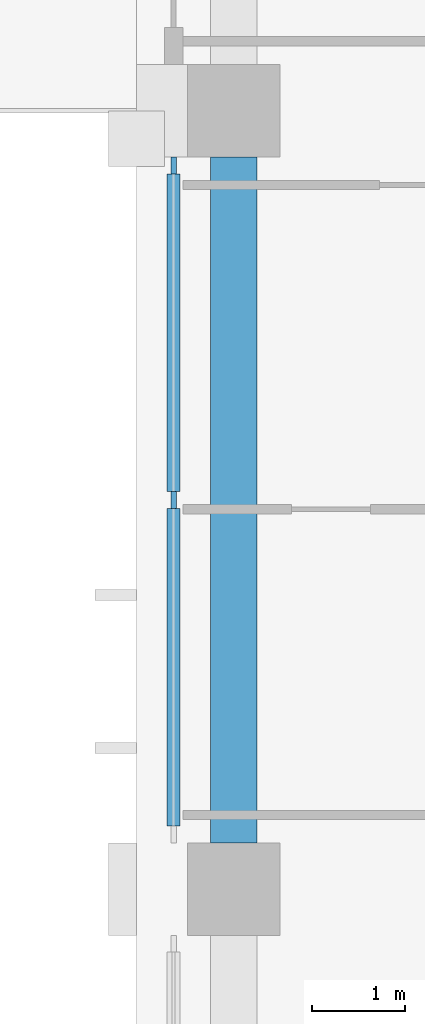
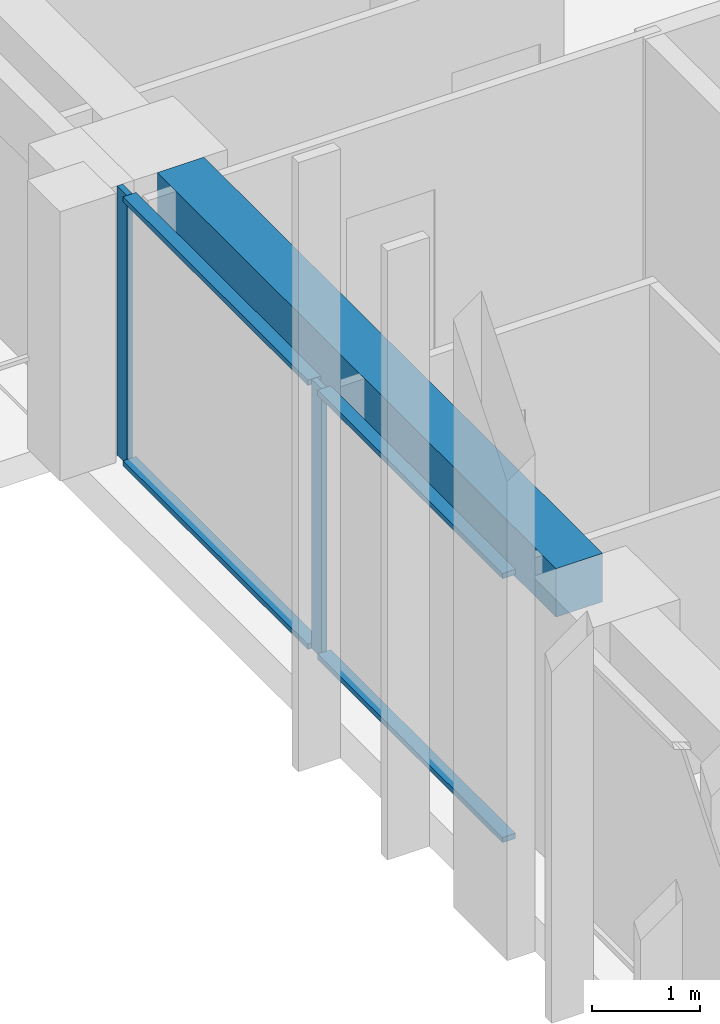
# One storey, part 3 of 16: 6 members, 1 beam, 1 element without a shape of its own.
"""IFC4 building model written with IfcOpenShell, lengths in metres."""

from ifc_helpers import new_model, si_unit, direction, frame, origin, origin_2d, place, context, subcontext, project, spatial, rectangle, extrude, material, material_profile, profile_set, type_object, element, aggregate, save


model = new_model("IFC4")

# Units and contexts
model_context = context("Model", 3, precision=1e-05, world=origin(), true_north=direction((0.0, 1.0)))
body_context = subcontext(model_context, "Body", "Model", "MODEL_VIEW")
ifc_project = project(units=[si_unit("LENGTHUNIT", "METRE"), si_unit("AREAUNIT", "SQUARE_METRE"), si_unit("VOLUMEUNIT", "CUBIC_METRE"), si_unit("PLANEANGLEUNIT", "RADIAN"), si_unit("MASSUNIT", "GRAM", prefix="KILO")], contexts=[model_context])

# Site, building, storey
site_placement = place(None, origin())
site = spatial("IfcSite", under=ifc_project, at=site_placement, CompositionType="ELEMENT")
building_placement = place(site_placement, origin())
building = spatial("IfcBuilding", under=site, at=building_placement, Name="Vermilion Ogive Tower", CompositionType="ELEMENT")
storey_placement = place(building_placement, frame((0.0, 0.0, 206.60009765625)))
storey = spatial("IfcBuildingStorey", under=building, at=storey_placement, Name="L54", CompositionType="ELEMENT", Elevation=206.60009765625)

# Curtain wall, members
ifc_material_1 = material(Name="Low-iron laminated glazing in aluminium frame", Category="aluminium")
curtain_wall_type = type_object("IfcCurtainWallType", Name="Curtain wall CW7", PredefinedType="NOTDEFINED", material=ifc_material_1)
curtain_wall_placement = place(storey_placement, origin())
curtain_wall = element("IfcCurtainWall", 1, at=curtain_wall_placement, inside=storey, type_object=curtain_wall_type, Name="Glazed skin W2", PredefinedType="NOTDEFINED")
ifc_material_2 = material(Name="Aluminium mullion", Category="aluminium")
ifc_material_profile_1 = material_profile(ifc_material_2, rectangle(XDim=0.06005859375, YDim=0.179931640625, at=origin_2d()), Name="AL 60x180")
ifc_profile_set_1 = profile_set([ifc_material_profile_1], Name="Aluminium mullion")
member_type_1 = type_object("IfcMemberType", Name="CW7 mullion 60x180", PredefinedType="MULLION", material=ifc_profile_set_1)
member_1_placement = place(storey_placement, frame((-25.85009765625, 3.610107421875, 0.0), z_axis=(0.0, 0.0, 1.0), x_axis=(1.0, 0.0, 0.0)))
member_1 = element("IfcMember", 2, at=member_1_placement, type_object=member_type_1, Name="CW7-W2 mullion 1", PredefinedType="MULLION", context=body_context, shape_type="SweptSolid", body=[
    extrude(rectangle(XDim=0.06005859375, YDim=0.179931640625, at=origin_2d()), origin(), (0.0, 0.0, 1.0), 3.0498046875),
])
member_2_placement = place(storey_placement, frame((-25.85009765625, 0.0, 0.0), z_axis=(0.0, 0.0, 1.0), x_axis=(1.0, 0.0, 0.0)))
member_2 = element("IfcMember", 3, at=member_2_placement, type_object=member_type_1, Name="CW7-W2 mullion 2", PredefinedType="MULLION", context=body_context, shape_type="SweptSolid", body=[
    extrude(rectangle(XDim=0.06005859375, YDim=0.179931640625, at=origin_2d()), origin(), (0.0, 0.0, 1.0), 3.0498046875),
])
ifc_material_3 = material(Name="Aluminium transom", Category="aluminium")
ifc_material_profile_2 = material_profile(ifc_material_3, rectangle(XDim=0.139892578125, YDim=0.06005859375, at=origin_2d()), Name="AL 60x140")
ifc_profile_set_2 = profile_set([ifc_material_profile_2], Name="Aluminium transom")
member_type_2 = type_object("IfcMemberType", Name="CW7 transom 60x140", PredefinedType="USERDEFINED", material=ifc_profile_set_2)
member_3_placement = place(storey_placement, frame((-25.85009765625, 3.52001953125, 0.02978515625), z_axis=(0.0, -1.0, 0.0), x_axis=(1.0, 0.0, 0.0)))
member_3 = element("IfcMember", 4, at=member_3_placement, type_object=member_type_2, Name="CW7-W2 transom 1.1", ObjectType="TRANSOM", PredefinedType="USERDEFINED", context=body_context, shape_type="SweptSolid", body=[
    extrude(rectangle(XDim=0.139892578125, YDim=0.06005859375, at=origin_2d()), origin(), (0.0, 0.0, 1.0), 3.429931640625),
])
member_4_placement = place(storey_placement, frame((-25.85009765625, 3.52001953125, 3.02001953125), z_axis=(0.0, -1.0, 0.0), x_axis=(1.0, 0.0, 0.0)))
member_4 = element("IfcMember", 5, at=member_4_placement, type_object=member_type_2, Name="CW7-W2 transom 1.2", ObjectType="TRANSOM", PredefinedType="USERDEFINED", context=body_context, shape_type="SweptSolid", body=[
    extrude(rectangle(XDim=0.139892578125, YDim=0.06005859375, at=origin_2d()), origin(), (0.0, 0.0, 1.0), 3.429931640625),
])
member_5_placement = place(storey_placement, frame((-25.85009765625, -0.090087890625, 0.02978515625), z_axis=(0.0, -1.0, 0.0), x_axis=(1.0, 0.0, 0.0)))
member_5 = element("IfcMember", 6, at=member_5_placement, type_object=member_type_2, Name="CW7-W2 transom 2.1", ObjectType="TRANSOM", PredefinedType="USERDEFINED", context=body_context, shape_type="SweptSolid", body=[
    extrude(rectangle(XDim=0.139892578125, YDim=0.06005859375, at=origin_2d()), origin(), (0.0, 0.0, 1.0), 3.429931640625),
])
member_6_placement = place(storey_placement, frame((-25.85009765625, -0.090087890625, 3.02001953125), z_axis=(0.0, -1.0, 0.0), x_axis=(1.0, 0.0, 0.0)))
member_6 = element("IfcMember", 7, at=member_6_placement, type_object=member_type_2, Name="CW7-W2 transom 2.2", ObjectType="TRANSOM", PredefinedType="USERDEFINED", context=body_context, shape_type="SweptSolid", body=[
    extrude(rectangle(XDim=0.139892578125, YDim=0.06005859375, at=origin_2d()), origin(), (0.0, 0.0, 1.0), 3.429931640625),
])
aggregate(curtain_wall, [member_1, member_2, member_3, member_4, member_5, member_6])

# Beam
ifc_material_4 = material(Name="Concrete B45", Category="concrete")
ifc_material_profile_3 = material_profile(ifc_material_4, rectangle(XDim=0.5, YDim=0.550048828125, at=origin_2d()), Name="500 x 550")
ifc_profile_set_3 = profile_set([ifc_material_profile_3], Name="Concrete B45")
beam_type = type_object("IfcBeamType", Name="Edge beam 500 x 550 B45", PredefinedType="BEAM", material=ifc_profile_set_3)
beam_placement = place(storey_placement, frame((-25.199951171875, 3.699951171875, 2.77490234375), z_axis=(0.0, -1.0, 0.0), x_axis=(1.0, 0.0, 0.0)))
element("IfcBeam", 8, at=beam_placement, inside=storey, type_object=beam_type, Name="L54-EB-15", PredefinedType="BEAM", context=body_context, shape_type="SweptSolid", body=[
    extrude(rectangle(XDim=0.5, YDim=0.550048828125, at=origin_2d()), origin(), (0.0, 0.0, 1.0), 7.39990234375),
])

save(model, "model.ifc")
